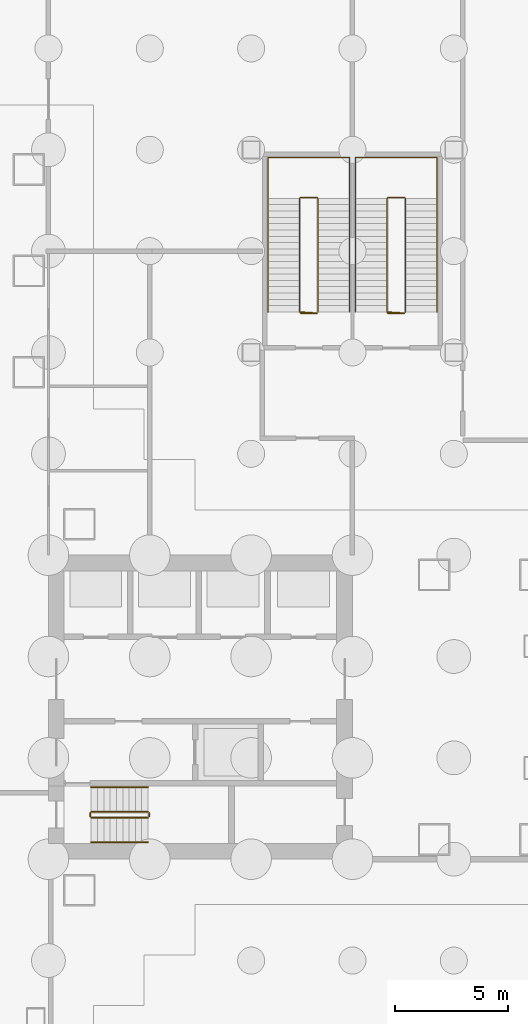
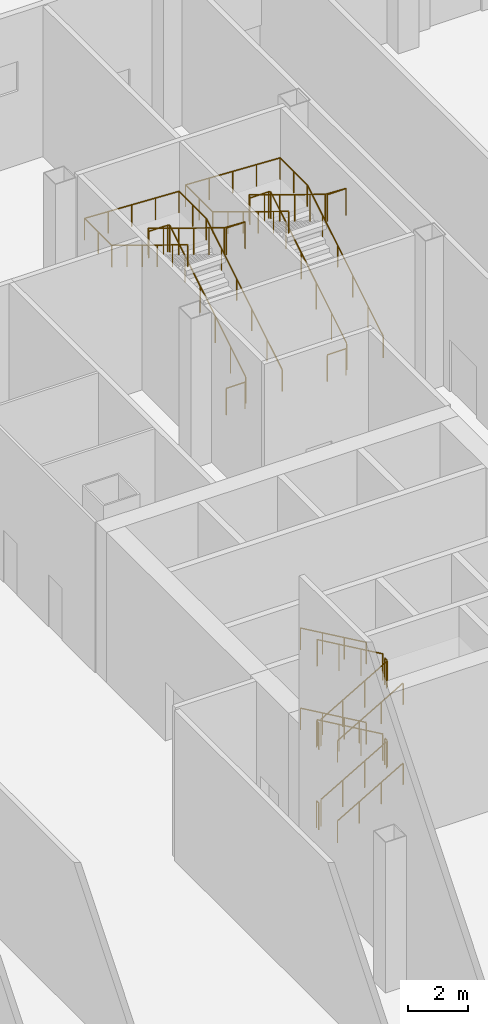
# One storey, part 32 of 37: 18 railings.
"""IFC4 building model written with IfcOpenShell, lengths in metres."""

from ifc_helpers import new_model, si_unit, direction, frame, origin, origin_2d, place, context, subcontext, project, spatial, circle, extrude, material, type_object, element, save


model = new_model("IFC4")

# Units and contexts
model_context = context("Model", 3, precision=1e-05, world=origin(), true_north=direction((0.0, 1.0)))
body_context = subcontext(model_context, "Body", "Model", "MODEL_VIEW")
ifc_project = project(units=[si_unit("LENGTHUNIT", "METRE"), si_unit("AREAUNIT", "SQUARE_METRE"), si_unit("VOLUMEUNIT", "CUBIC_METRE"), si_unit("PLANEANGLEUNIT", "RADIAN"), si_unit("MASSUNIT", "GRAM", prefix="KILO")], contexts=[model_context])

# Site, building, storey
site_placement = place(None, origin())
site = spatial("IfcSite", under=ifc_project, at=site_placement, CompositionType="ELEMENT")
building_placement = place(site_placement, origin())
building = spatial("IfcBuilding", under=site, at=building_placement, Name="Shamsa Quay Exchange Towers", CompositionType="ELEMENT")
storey_placement = place(building_placement, origin())
storey = spatial("IfcBuildingStorey", under=building, at=storey_placement, Name="L00", CompositionType="ELEMENT", Elevation=0.0)

# Railings
ifc_material = material(Name="Stainless steel", Category="steel")
railing_type_1 = type_object("IfcRailingType", Name="STAIR GUARD 1100", PredefinedType="GUARDRAIL", material=ifc_material)
railing_1_placement = place(storey_placement, frame((-25.10009765625, -4.89990234375, 0.16259765625)))
element("IfcRailing", 1, at=railing_1_placement, inside=storey, type_object=railing_type_1, Name="L00 ST1 stair guard 1", PredefinedType="GUARDRAIL", context=body_context, shape_type="SweptSolid", body=[
    extrude(circle(Radius=0.02392578125, at=origin_2d()), frame((0.0, 0.0, 1.076171875), z_axis=(0.864913338283, 0.0, 0.50192122615), x_axis=(0.0, 1.0, 0.0)), (0.0, 0.0, 1.0), 2.91357421875),
    extrude(circle(Radius=0.02099609375, at=origin_2d()), origin(), (0.0, 0.0, 1.0), 1.052001953125),
    extrude(circle(Radius=0.02099609375, at=origin_2d()), frame((0.840087890625, 0.0, 0.487548828125)), (0.0, 0.0, 1.0), 1.052001953125),
    extrude(circle(Radius=0.02099609375, at=origin_2d()), frame((1.679931640625, 0.0, 0.974853515625)), (0.0, 0.0, 1.0), 1.052001953125),
    extrude(circle(Radius=0.02099609375, at=origin_2d()), frame((2.52001953125, 0.0, 1.46240234375)), (0.0, 0.0, 1.0), 1.052001953125),
])
railing_2_placement = place(storey_placement, frame((-22.530029296875, -4.85009765625, 1.625)))
element("IfcRailing", 2, at=railing_2_placement, inside=storey, type_object=railing_type_1, Name="L00 ST1 stair guard 2", PredefinedType="GUARDRAIL", context=body_context, shape_type="SweptSolid", body=[
    extrude(circle(Radius=0.02392578125, at=origin_2d()), frame((0.0, 0.0, 1.076171875), z_axis=(0.0, 1.0, 0.0), x_axis=(-1.0, 0.0, 0.0)), (0.0, 0.0, 1.0), 0.150146484375),
    extrude(circle(Radius=0.02099609375, at=origin_2d()), origin(), (0.0, 0.0, 1.0), 1.052001953125),
    extrude(circle(Radius=0.02099609375, at=origin_2d()), frame((0.0, 0.150146484375, 0.0)), (0.0, 0.0, 1.0), 1.052001953125),
])
railing_3_placement = place(storey_placement, frame((-22.580078125, -4.64990234375, 1.78759765625)))
element("IfcRailing", 3, at=railing_3_placement, inside=storey, type_object=railing_type_1, Name="L00 ST1 stair guard 3", PredefinedType="GUARDRAIL", context=body_context, shape_type="SweptSolid", body=[
    extrude(circle(Radius=0.02392578125, at=origin_2d()), frame((0.0, 0.0, 1.076171875), z_axis=(-0.864913338283, 0.0, 0.50192122615), x_axis=(0.0, -1.0, 0.0)), (0.0, 0.0, 1.0), 2.91357421875),
    extrude(circle(Radius=0.02099609375, at=origin_2d()), origin(), (0.0, 0.0, 1.0), 1.052001953125),
    extrude(circle(Radius=0.02099609375, at=origin_2d()), frame((-0.840087890625, 0.0, 0.487548828125)), (0.0, 0.0, 1.0), 1.052001953125),
    extrude(circle(Radius=0.02099609375, at=origin_2d()), frame((-1.679931640625, 0.0, 0.974853515625)), (0.0, 0.0, 1.0), 1.052001953125),
    extrude(circle(Radius=0.02099609375, at=origin_2d()), frame((-2.52001953125, 0.0, 1.46240234375)), (0.0, 0.0, 1.0), 1.052001953125),
])
railing_4_placement = place(storey_placement, frame((-25.14990234375, -4.85009765625, 3.25)))
element("IfcRailing", 4, at=railing_4_placement, inside=storey, type_object=railing_type_1, Name="L00 ST1 stair guard 4", PredefinedType="GUARDRAIL", context=body_context, shape_type="SweptSolid", body=[
    extrude(circle(Radius=0.02392578125, at=origin_2d()), frame((0.0, 0.0, 1.076171875), z_axis=(0.0, 1.0, 0.0), x_axis=(-1.0, 0.0, 0.0)), (0.0, 0.0, 1.0), 0.150146484375),
    extrude(circle(Radius=0.02099609375, at=origin_2d()), origin(), (0.0, 0.0, 1.0), 1.052001953125),
    extrude(circle(Radius=0.02099609375, at=origin_2d()), frame((0.0, 0.150146484375, 0.0)), (0.0, 0.0, 1.0), 1.052001953125),
])
railing_5_placement = place(storey_placement, frame((-25.10009765625, -4.89990234375, 3.41259765625)))
element("IfcRailing", 5, at=railing_5_placement, inside=storey, type_object=railing_type_1, Name="L00 ST1 stair guard 5", PredefinedType="GUARDRAIL", context=body_context, shape_type="SweptSolid", body=[
    extrude(circle(Radius=0.02392578125, at=origin_2d()), frame((0.0, 0.0, 1.076171875), z_axis=(0.864913338283, 0.0, 0.50192122615), x_axis=(0.0, 1.0, 0.0)), (0.0, 0.0, 1.0), 2.91357421875),
    extrude(circle(Radius=0.02099609375, at=origin_2d()), origin(), (0.0, 0.0, 1.0), 1.052001953125),
    extrude(circle(Radius=0.02099609375, at=origin_2d()), frame((0.840087890625, 0.0, 0.487548828125)), (0.0, 0.0, 1.0), 1.052001953125),
    extrude(circle(Radius=0.02099609375, at=origin_2d()), frame((1.679931640625, 0.0, 0.974853515625)), (0.0, 0.0, 1.0), 1.052001953125),
    extrude(circle(Radius=0.02099609375, at=origin_2d()), frame((2.52001953125, 0.0, 1.46240234375)), (0.0, 0.0, 1.0), 1.052001953125),
])
railing_6_placement = place(storey_placement, frame((-22.530029296875, -4.85009765625, 4.875)))
element("IfcRailing", 6, at=railing_6_placement, inside=storey, type_object=railing_type_1, Name="L00 ST1 stair guard 6", PredefinedType="GUARDRAIL", context=body_context, shape_type="SweptSolid", body=[
    extrude(circle(Radius=0.02392578125, at=origin_2d()), frame((0.0, 0.0, 1.076171875), z_axis=(0.0, 1.0, 0.0), x_axis=(-1.0, 0.0, 0.0)), (0.0, 0.0, 1.0), 0.150146484375),
    extrude(circle(Radius=0.02099609375, at=origin_2d()), origin(), (0.0, 0.0, 1.0), 1.052001953125),
    extrude(circle(Radius=0.02099609375, at=origin_2d()), frame((0.0, 0.150146484375, 0.0)), (0.0, 0.0, 1.0), 1.052001953125),
])
railing_7_placement = place(storey_placement, frame((-22.580078125, -4.64990234375, 5.03759765625)))
element("IfcRailing", 7, at=railing_7_placement, inside=storey, type_object=railing_type_1, Name="L00 ST1 stair guard 7", PredefinedType="GUARDRAIL", context=body_context, shape_type="SweptSolid", body=[
    extrude(circle(Radius=0.02392578125, at=origin_2d()), frame((0.0, 0.0, 1.076171875), z_axis=(-0.864913338283, 0.0, 0.50192122615), x_axis=(0.0, -1.0, 0.0)), (0.0, 0.0, 1.0), 2.91357421875),
    extrude(circle(Radius=0.02099609375, at=origin_2d()), origin(), (0.0, 0.0, 1.0), 1.052001953125),
    extrude(circle(Radius=0.02099609375, at=origin_2d()), frame((-0.840087890625, 0.0, 0.487548828125)), (0.0, 0.0, 1.0), 1.052001953125),
    extrude(circle(Radius=0.02099609375, at=origin_2d()), frame((-1.679931640625, 0.0, 0.974853515625)), (0.0, 0.0, 1.0), 1.052001953125),
    extrude(circle(Radius=0.02099609375, at=origin_2d()), frame((-2.52001953125, 0.0, 1.46240234375)), (0.0, 0.0, 1.0), 1.052001953125),
])
railing_8_placement = place(storey_placement, frame((-25.14990234375, -4.85009765625, 0.0)))
element("IfcRailing", 8, at=railing_8_placement, inside=storey, type_object=railing_type_1, Name="L00 ST1 stair guard 8", PredefinedType="GUARDRAIL", context=body_context, shape_type="SweptSolid", body=[
    extrude(circle(Radius=0.02392578125, at=origin_2d()), frame((0.0, 0.0, 1.076171875), z_axis=(0.0, 1.0, 0.0), x_axis=(-1.0, 0.0, 0.0)), (0.0, 0.0, 1.0), 0.150146484375),
    extrude(circle(Radius=0.02099609375, at=origin_2d()), origin(), (0.0, 0.0, 1.0), 1.052001953125),
    extrude(circle(Radius=0.02099609375, at=origin_2d()), frame((0.0, 0.150146484375, 0.0)), (0.0, 0.0, 1.0), 1.052001953125),
])
railing_9_placement = place(storey_placement, frame((-15.02490234375, 17.550048828125, 0.171142578125)))
element("IfcRailing", 9, at=railing_9_placement, inside=storey, type_object=railing_type_1, Name="L00 PS2A stair guard 1", PredefinedType="GUARDRAIL", context=body_context, shape_type="SweptSolid", body=[
    extrude(circle(Radius=0.02392578125, at=origin_2d()), frame((0.0, 0.0, 1.076171875), z_axis=(0.0, 0.853369698388, 0.521306203564), x_axis=(-1.0, 0.0, 0.0)), (0.0, 0.0, 1.0), 5.906005859375),
    extrude(circle(Radius=0.02392578125, at=origin_2d()), frame((0.0, 5.0400390625, 4.15478515625), z_axis=(-0.708833529934, 0.705375805398, 0.0), x_axis=(-0.705375805398, -0.708833529934, 0.0)), (0.0, 0.0, 1.0), 0.070556640625),
    extrude(circle(Radius=0.02392578125, at=origin_2d()), frame((-0.050048828125, 5.08984375, 4.15478515625), z_axis=(-1.0, 0.0, 0.0), x_axis=(0.0, -1.0, 0.0)), (0.0, 0.0, 1.0), 0.72509765625),
    extrude(circle(Radius=0.02392578125, at=origin_2d()), frame((-0.775146484375, 5.08984375, 4.15478515625), z_axis=(-0.270336121127, -0.269017408341, 0.924417662977), x_axis=(0.705375805398, -0.708833529934, 0.0)), (0.0, 0.0, 1.0), 0.18505859375),
    extrude(circle(Radius=0.02392578125, at=origin_2d()), frame((-0.8251953125, 5.0400390625, 4.326171875), z_axis=(0.0, -0.853369698388, 0.521306203564), x_axis=(1.0, 0.0, 0.0)), (0.0, 0.0, 1.0), 5.906005859375),
    extrude(circle(Radius=0.02392578125, at=origin_2d()), frame((-0.8251953125, 0.0, 7.40478515625), z_axis=(0.997922050633, -0.064432762324, 0.0), x_axis=(0.064432762324, 0.997922050633, 0.0)), (0.0, 0.0, 1.0), 0.77685546875),
    extrude(circle(Radius=0.02392578125, at=origin_2d()), frame((-0.050048828125, -0.050048828125, 7.40478515625), z_axis=(-1.0, 0.0, 0.0), x_axis=(0.0, -1.0, 0.0)), (0.0, 0.0, 1.0), 0.72509765625),
    extrude(circle(Radius=0.02099609375, at=origin_2d()), origin(), (0.0, 0.0, 1.0), 1.052001953125),
    extrude(circle(Radius=0.02099609375, at=origin_2d()), frame((0.0, 1.008056640625, 0.61572265625)), (0.0, 0.0, 1.0), 1.052001953125),
    extrude(circle(Radius=0.02099609375, at=origin_2d()), frame((0.0, 2.01611328125, 1.2314453125)), (0.0, 0.0, 1.0), 1.052001953125),
    extrude(circle(Radius=0.02099609375, at=origin_2d()), frame((0.0, 3.02392578125, 1.847412109375)), (0.0, 0.0, 1.0), 1.052001953125),
    extrude(circle(Radius=0.02099609375, at=origin_2d()), frame((0.0, 4.031982421875, 2.463134765625)), (0.0, 0.0, 1.0), 1.052001953125),
    extrude(circle(Radius=0.02099609375, at=origin_2d()), frame((0.0, 5.0400390625, 3.078857421875)), (0.0, 0.0, 1.0), 1.052001953125),
    extrude(circle(Radius=0.02099609375, at=origin_2d()), frame((-0.050048828125, 5.08984375, 3.078857421875)), (0.0, 0.0, 1.0), 1.052001953125),
    extrude(circle(Radius=0.02099609375, at=origin_2d()), frame((-0.775146484375, 5.08984375, 3.078857421875)), (0.0, 0.0, 1.0), 1.052001953125),
    extrude(circle(Radius=0.02099609375, at=origin_2d()), frame((-0.8251953125, 5.0400390625, 3.25)), (0.0, 0.0, 1.0), 1.052001953125),
    extrude(circle(Radius=0.02099609375, at=origin_2d()), frame((-0.8251953125, 4.031982421875, 3.86572265625)), (0.0, 0.0, 1.0), 1.052001953125),
    extrude(circle(Radius=0.02099609375, at=origin_2d()), frame((-0.8251953125, 3.02392578125, 4.4814453125)), (0.0, 0.0, 1.0), 1.052001953125),
    extrude(circle(Radius=0.02099609375, at=origin_2d()), frame((-0.8251953125, 2.01611328125, 5.097412109375)), (0.0, 0.0, 1.0), 1.052001953125),
    extrude(circle(Radius=0.02099609375, at=origin_2d()), frame((-0.8251953125, 1.008056640625, 5.713134765625)), (0.0, 0.0, 1.0), 1.052001953125),
    extrude(circle(Radius=0.02099609375, at=origin_2d()), frame((-0.8251953125, 0.0, 6.328857421875)), (0.0, 0.0, 1.0), 1.052001953125),
    extrude(circle(Radius=0.02099609375, at=origin_2d()), frame((-0.050048828125, -0.050048828125, 6.328857421875)), (0.0, 0.0, 1.0), 1.052001953125),
    extrude(circle(Radius=0.02099609375, at=origin_2d()), frame((-0.775146484375, -0.050048828125, 6.328857421875)), (0.0, 0.0, 1.0), 1.052001953125),
])
railing_10_placement = place(storey_placement, frame((-15.074951171875, 17.5, 0.0)))
element("IfcRailing", 10, at=railing_10_placement, inside=storey, type_object=railing_type_1, Name="L00 PS2A stair guard 2", PredefinedType="GUARDRAIL", context=body_context, shape_type="SweptSolid", body=[
    extrude(circle(Radius=0.02392578125, at=origin_2d()), frame((0.0, 0.0, 1.076171875), z_axis=(-1.0, 0.0, 0.0), x_axis=(0.0, -1.0, 0.0)), (0.0, 0.0, 1.0), 0.72509765625),
    extrude(circle(Radius=0.02099609375, at=origin_2d()), origin(), (0.0, 0.0, 1.0), 1.052001953125),
    extrude(circle(Radius=0.02099609375, at=origin_2d()), frame((-0.72509765625, 0.0, 0.0)), (0.0, 0.0, 1.0), 1.052001953125),
])
railing_11_placement = place(storey_placement, frame((-11.14990234375, 17.550048828125, 0.171142578125)))
element("IfcRailing", 11, at=railing_11_placement, inside=storey, type_object=railing_type_1, Name="L00 PS2B stair guard 1", PredefinedType="GUARDRAIL", context=body_context, shape_type="SweptSolid", body=[
    extrude(circle(Radius=0.02392578125, at=origin_2d()), frame((0.0, 0.0, 1.076171875), z_axis=(0.0, 0.853369698388, 0.521306203564), x_axis=(-1.0, 0.0, 0.0)), (0.0, 0.0, 1.0), 5.906005859375),
    extrude(circle(Radius=0.02392578125, at=origin_2d()), frame((0.0, 5.0400390625, 4.15478515625), z_axis=(-0.708833529934, 0.705375805398, 0.0), x_axis=(-0.705375805398, -0.708833529934, 0.0)), (0.0, 0.0, 1.0), 0.070556640625),
    extrude(circle(Radius=0.02392578125, at=origin_2d()), frame((-0.050048828125, 5.08984375, 4.15478515625), z_axis=(-1.0, 0.0, 0.0), x_axis=(0.0, -1.0, 0.0)), (0.0, 0.0, 1.0), 0.72509765625),
    extrude(circle(Radius=0.02392578125, at=origin_2d()), frame((-0.775146484375, 5.08984375, 4.15478515625), z_axis=(-0.270336121127, -0.269017408341, 0.924417662977), x_axis=(0.705375805398, -0.708833529934, 0.0)), (0.0, 0.0, 1.0), 0.18505859375),
    extrude(circle(Radius=0.02392578125, at=origin_2d()), frame((-0.8251953125, 5.0400390625, 4.326171875), z_axis=(0.0, -0.853369698388, 0.521306203564), x_axis=(1.0, 0.0, 0.0)), (0.0, 0.0, 1.0), 5.906005859375),
    extrude(circle(Radius=0.02392578125, at=origin_2d()), frame((-0.8251953125, 0.0, 7.40478515625), z_axis=(0.997922050633, -0.064432762324, 0.0), x_axis=(0.064432762324, 0.997922050633, 0.0)), (0.0, 0.0, 1.0), 0.77685546875),
    extrude(circle(Radius=0.02392578125, at=origin_2d()), frame((-0.050048828125, -0.050048828125, 7.40478515625), z_axis=(-1.0, 0.0, 0.0), x_axis=(0.0, -1.0, 0.0)), (0.0, 0.0, 1.0), 0.72509765625),
    extrude(circle(Radius=0.02099609375, at=origin_2d()), origin(), (0.0, 0.0, 1.0), 1.052001953125),
    extrude(circle(Radius=0.02099609375, at=origin_2d()), frame((0.0, 1.008056640625, 0.61572265625)), (0.0, 0.0, 1.0), 1.052001953125),
    extrude(circle(Radius=0.02099609375, at=origin_2d()), frame((0.0, 2.01611328125, 1.2314453125)), (0.0, 0.0, 1.0), 1.052001953125),
    extrude(circle(Radius=0.02099609375, at=origin_2d()), frame((0.0, 3.02392578125, 1.847412109375)), (0.0, 0.0, 1.0), 1.052001953125),
    extrude(circle(Radius=0.02099609375, at=origin_2d()), frame((0.0, 4.031982421875, 2.463134765625)), (0.0, 0.0, 1.0), 1.052001953125),
    extrude(circle(Radius=0.02099609375, at=origin_2d()), frame((0.0, 5.0400390625, 3.078857421875)), (0.0, 0.0, 1.0), 1.052001953125),
    extrude(circle(Radius=0.02099609375, at=origin_2d()), frame((-0.050048828125, 5.08984375, 3.078857421875)), (0.0, 0.0, 1.0), 1.052001953125),
    extrude(circle(Radius=0.02099609375, at=origin_2d()), frame((-0.775146484375, 5.08984375, 3.078857421875)), (0.0, 0.0, 1.0), 1.052001953125),
    extrude(circle(Radius=0.02099609375, at=origin_2d()), frame((-0.8251953125, 5.0400390625, 3.25)), (0.0, 0.0, 1.0), 1.052001953125),
    extrude(circle(Radius=0.02099609375, at=origin_2d()), frame((-0.8251953125, 4.031982421875, 3.86572265625)), (0.0, 0.0, 1.0), 1.052001953125),
    extrude(circle(Radius=0.02099609375, at=origin_2d()), frame((-0.8251953125, 3.02392578125, 4.4814453125)), (0.0, 0.0, 1.0), 1.052001953125),
    extrude(circle(Radius=0.02099609375, at=origin_2d()), frame((-0.8251953125, 2.01611328125, 5.097412109375)), (0.0, 0.0, 1.0), 1.052001953125),
    extrude(circle(Radius=0.02099609375, at=origin_2d()), frame((-0.8251953125, 1.008056640625, 5.713134765625)), (0.0, 0.0, 1.0), 1.052001953125),
    extrude(circle(Radius=0.02099609375, at=origin_2d()), frame((-0.8251953125, 0.0, 6.328857421875)), (0.0, 0.0, 1.0), 1.052001953125),
    extrude(circle(Radius=0.02099609375, at=origin_2d()), frame((-0.050048828125, -0.050048828125, 6.328857421875)), (0.0, 0.0, 1.0), 1.052001953125),
    extrude(circle(Radius=0.02099609375, at=origin_2d()), frame((-0.775146484375, -0.050048828125, 6.328857421875)), (0.0, 0.0, 1.0), 1.052001953125),
])
railing_12_placement = place(storey_placement, frame((-11.199951171875, 17.5, 0.0)))
element("IfcRailing", 12, at=railing_12_placement, inside=storey, type_object=railing_type_1, Name="L00 PS2B stair guard 2", PredefinedType="GUARDRAIL", context=body_context, shape_type="SweptSolid", body=[
    extrude(circle(Radius=0.02392578125, at=origin_2d()), frame((0.0, 0.0, 1.076171875), z_axis=(-1.0, 0.0, 0.0), x_axis=(0.0, -1.0, 0.0)), (0.0, 0.0, 1.0), 0.72509765625),
    extrude(circle(Radius=0.02099609375, at=origin_2d()), origin(), (0.0, 0.0, 1.0), 1.052001953125),
    extrude(circle(Radius=0.02099609375, at=origin_2d()), frame((-0.72509765625, 0.0, 0.0)), (0.0, 0.0, 1.0), 1.052001953125),
])
railing_type_2 = type_object("IfcRailingType", Name="STAIR HANDRAIL 900", PredefinedType="HANDRAIL", material=ifc_material)
railing_13_placement = place(storey_placement, frame((-25.10009765625, -6.0, 0.16259765625)))
element("IfcRailing", 13, at=railing_13_placement, inside=storey, type_object=railing_type_2, Name="L00 ST1 stair handrail 1", PredefinedType="HANDRAIL", context=body_context, shape_type="SweptSolid", body=[
    extrude(circle(Radius=0.02392578125, at=origin_2d()), frame((0.0, 0.0, 0.8759765625), z_axis=(0.864913338283, 0.0, 0.50192122615), x_axis=(0.0, 1.0, 0.0)), (0.0, 0.0, 1.0), 2.91357421875),
    extrude(circle(Radius=0.02099609375, at=origin_2d()), origin(), (0.0, 0.0, 1.0), 0.851806640625),
    extrude(circle(Radius=0.02099609375, at=origin_2d()), frame((0.840087890625, 0.0, 0.487548828125)), (0.0, 0.0, 1.0), 0.851806640625),
    extrude(circle(Radius=0.02099609375, at=origin_2d()), frame((1.679931640625, 0.0, 0.974853515625)), (0.0, 0.0, 1.0), 0.851806640625),
    extrude(circle(Radius=0.02099609375, at=origin_2d()), frame((2.52001953125, 0.0, 1.46240234375)), (0.0, 0.0, 1.0), 0.851806640625),
])
railing_14_placement = place(storey_placement, frame((-22.580078125, -3.550048828125, 1.78759765625)))
element("IfcRailing", 14, at=railing_14_placement, inside=storey, type_object=railing_type_2, Name="L00 ST1 stair handrail 2", PredefinedType="HANDRAIL", context=body_context, shape_type="SweptSolid", body=[
    extrude(circle(Radius=0.02392578125, at=origin_2d()), frame((0.0, 0.0, 0.8759765625), z_axis=(-0.864913338283, 0.0, 0.50192122615), x_axis=(0.0, -1.0, 0.0)), (0.0, 0.0, 1.0), 2.91357421875),
    extrude(circle(Radius=0.02099609375, at=origin_2d()), origin(), (0.0, 0.0, 1.0), 0.851806640625),
    extrude(circle(Radius=0.02099609375, at=origin_2d()), frame((-0.840087890625, 0.0, 0.487548828125)), (0.0, 0.0, 1.0), 0.851806640625),
    extrude(circle(Radius=0.02099609375, at=origin_2d()), frame((-1.679931640625, 0.0, 0.974853515625)), (0.0, 0.0, 1.0), 0.851806640625),
    extrude(circle(Radius=0.02099609375, at=origin_2d()), frame((-2.52001953125, 0.0, 1.46240234375)), (0.0, 0.0, 1.0), 0.851806640625),
])
railing_15_placement = place(storey_placement, frame((-25.10009765625, -6.0, 3.41259765625)))
element("IfcRailing", 15, at=railing_15_placement, inside=storey, type_object=railing_type_2, Name="L00 ST1 stair handrail 3", PredefinedType="HANDRAIL", context=body_context, shape_type="SweptSolid", body=[
    extrude(circle(Radius=0.02392578125, at=origin_2d()), frame((0.0, 0.0, 0.8759765625), z_axis=(0.864913338283, 0.0, 0.50192122615), x_axis=(0.0, 1.0, 0.0)), (0.0, 0.0, 1.0), 2.91357421875),
    extrude(circle(Radius=0.02099609375, at=origin_2d()), origin(), (0.0, 0.0, 1.0), 0.851806640625),
    extrude(circle(Radius=0.02099609375, at=origin_2d()), frame((0.840087890625, 0.0, 0.487548828125)), (0.0, 0.0, 1.0), 0.851806640625),
    extrude(circle(Radius=0.02099609375, at=origin_2d()), frame((1.679931640625, 0.0, 0.974853515625)), (0.0, 0.0, 1.0), 0.851806640625),
    extrude(circle(Radius=0.02099609375, at=origin_2d()), frame((2.52001953125, 0.0, 1.46240234375)), (0.0, 0.0, 1.0), 0.851806640625),
])
railing_16_placement = place(storey_placement, frame((-22.580078125, -3.550048828125, 5.03759765625)))
element("IfcRailing", 16, at=railing_16_placement, inside=storey, type_object=railing_type_2, Name="L00 ST1 stair handrail 4", PredefinedType="HANDRAIL", context=body_context, shape_type="SweptSolid", body=[
    extrude(circle(Radius=0.02392578125, at=origin_2d()), frame((0.0, 0.0, 0.8759765625), z_axis=(-0.864913338283, 0.0, 0.50192122615), x_axis=(0.0, -1.0, 0.0)), (0.0, 0.0, 1.0), 2.91357421875),
    extrude(circle(Radius=0.02099609375, at=origin_2d()), origin(), (0.0, 0.0, 1.0), 0.851806640625),
    extrude(circle(Radius=0.02099609375, at=origin_2d()), frame((-0.840087890625, 0.0, 0.487548828125)), (0.0, 0.0, 1.0), 0.851806640625),
    extrude(circle(Radius=0.02099609375, at=origin_2d()), frame((-1.679931640625, 0.0, 0.974853515625)), (0.0, 0.0, 1.0), 0.851806640625),
    extrude(circle(Radius=0.02099609375, at=origin_2d()), frame((-2.52001953125, 0.0, 1.46240234375)), (0.0, 0.0, 1.0), 0.851806640625),
])
railing_17_placement = place(storey_placement, frame((-13.625, 17.550048828125, 0.171142578125)))
element("IfcRailing", 17, at=railing_17_placement, inside=storey, type_object=railing_type_2, Name="L00 PS2A stair handrail 1", PredefinedType="HANDRAIL", context=body_context, shape_type="SweptSolid", body=[
    extrude(circle(Radius=0.02392578125, at=origin_2d()), frame((0.0, 0.0, 0.8759765625), z_axis=(0.0, 0.853369698388, 0.521306203564), x_axis=(-1.0, 0.0, 0.0)), (0.0, 0.0, 1.0), 5.906005859375),
    extrude(circle(Radius=0.02392578125, at=origin_2d()), frame((0.0, 5.0400390625, 3.95458984375), z_axis=(0.0, 1.0, 0.0), x_axis=(-1.0, 0.0, 0.0)), (0.0, 0.0, 1.0), 1.809814453125),
    extrude(circle(Radius=0.02392578125, at=origin_2d()), frame((0.0, 6.849853515625, 3.95458984375), z_axis=(-0.998887385161, 0.0, 0.047159217201), x_axis=(0.0, -1.0, 0.0)), (0.0, 0.0, 1.0), 3.629150390625),
    extrude(circle(Radius=0.02392578125, at=origin_2d()), frame((-3.625, 6.849853515625, 4.1259765625), z_axis=(0.0, -1.0, 0.0), x_axis=(1.0, 0.0, 0.0)), (0.0, 0.0, 1.0), 1.809814453125),
    extrude(circle(Radius=0.02392578125, at=origin_2d()), frame((-3.625, 5.0400390625, 4.1259765625), z_axis=(0.0, -0.853369698388, 0.521306203564), x_axis=(1.0, 0.0, 0.0)), (0.0, 0.0, 1.0), 5.906005859375),
    extrude(circle(Radius=0.02099609375, at=origin_2d()), origin(), (0.0, 0.0, 1.0), 0.851806640625),
    extrude(circle(Radius=0.02099609375, at=origin_2d()), frame((0.0, 1.008056640625, 0.61572265625)), (0.0, 0.0, 1.0), 0.851806640625),
    extrude(circle(Radius=0.02099609375, at=origin_2d()), frame((0.0, 2.01611328125, 1.2314453125)), (0.0, 0.0, 1.0), 0.851806640625),
    extrude(circle(Radius=0.02099609375, at=origin_2d()), frame((0.0, 3.02392578125, 1.847412109375)), (0.0, 0.0, 1.0), 0.851806640625),
    extrude(circle(Radius=0.02099609375, at=origin_2d()), frame((0.0, 4.031982421875, 2.463134765625)), (0.0, 0.0, 1.0), 0.851806640625),
    extrude(circle(Radius=0.02099609375, at=origin_2d()), frame((0.0, 5.0400390625, 3.078857421875)), (0.0, 0.0, 1.0), 0.851806640625),
    extrude(circle(Radius=0.02099609375, at=origin_2d()), frame((0.0, 5.94482421875, 3.078857421875)), (0.0, 0.0, 1.0), 0.851806640625),
    extrude(circle(Radius=0.02099609375, at=origin_2d()), frame((0.0, 6.849853515625, 3.078857421875)), (0.0, 0.0, 1.0), 0.851806640625),
    extrude(circle(Radius=0.02099609375, at=origin_2d()), frame((-0.90625, 6.849853515625, 3.12158203125)), (0.0, 0.0, 1.0), 0.851806640625),
    extrude(circle(Radius=0.02099609375, at=origin_2d()), frame((-1.8125, 6.849853515625, 3.16455078125)), (0.0, 0.0, 1.0), 0.851806640625),
    extrude(circle(Radius=0.02099609375, at=origin_2d()), frame((-2.71875, 6.849853515625, 3.207275390625)), (0.0, 0.0, 1.0), 0.851806640625),
    extrude(circle(Radius=0.02099609375, at=origin_2d()), frame((-3.625, 6.849853515625, 3.25)), (0.0, 0.0, 1.0), 0.851806640625),
    extrude(circle(Radius=0.02099609375, at=origin_2d()), frame((-3.625, 5.94482421875, 3.25)), (0.0, 0.0, 1.0), 0.851806640625),
    extrude(circle(Radius=0.02099609375, at=origin_2d()), frame((-3.625, 5.0400390625, 3.25)), (0.0, 0.0, 1.0), 0.851806640625),
    extrude(circle(Radius=0.02099609375, at=origin_2d()), frame((-3.625, 4.031982421875, 3.86572265625)), (0.0, 0.0, 1.0), 0.851806640625),
    extrude(circle(Radius=0.02099609375, at=origin_2d()), frame((-3.625, 3.02392578125, 4.4814453125)), (0.0, 0.0, 1.0), 0.851806640625),
    extrude(circle(Radius=0.02099609375, at=origin_2d()), frame((-3.625, 2.01611328125, 5.097412109375)), (0.0, 0.0, 1.0), 0.851806640625),
    extrude(circle(Radius=0.02099609375, at=origin_2d()), frame((-3.625, 1.008056640625, 5.713134765625)), (0.0, 0.0, 1.0), 0.851806640625),
    extrude(circle(Radius=0.02099609375, at=origin_2d()), frame((-3.625, 0.0, 6.328857421875)), (0.0, 0.0, 1.0), 0.851806640625),
])
railing_18_placement = place(storey_placement, frame((-9.75, 17.550048828125, 0.171142578125)))
element("IfcRailing", 18, at=railing_18_placement, inside=storey, type_object=railing_type_2, Name="L00 PS2B stair handrail 1", PredefinedType="HANDRAIL", context=body_context, shape_type="SweptSolid", body=[
    extrude(circle(Radius=0.02392578125, at=origin_2d()), frame((0.0, 0.0, 0.8759765625), z_axis=(0.0, 0.853369698388, 0.521306203564), x_axis=(-1.0, 0.0, 0.0)), (0.0, 0.0, 1.0), 5.906005859375),
    extrude(circle(Radius=0.02392578125, at=origin_2d()), frame((0.0, 5.0400390625, 3.95458984375), z_axis=(0.0, 1.0, 0.0), x_axis=(-1.0, 0.0, 0.0)), (0.0, 0.0, 1.0), 1.809814453125),
    extrude(circle(Radius=0.02392578125, at=origin_2d()), frame((0.0, 6.849853515625, 3.95458984375), z_axis=(-0.998887385161, 0.0, 0.047159217201), x_axis=(0.0, -1.0, 0.0)), (0.0, 0.0, 1.0), 3.629150390625),
    extrude(circle(Radius=0.02392578125, at=origin_2d()), frame((-3.625, 6.849853515625, 4.1259765625), z_axis=(0.0, -1.0, 0.0), x_axis=(1.0, 0.0, 0.0)), (0.0, 0.0, 1.0), 1.809814453125),
    extrude(circle(Radius=0.02392578125, at=origin_2d()), frame((-3.625, 5.0400390625, 4.1259765625), z_axis=(0.0, -0.853369698388, 0.521306203564), x_axis=(1.0, 0.0, 0.0)), (0.0, 0.0, 1.0), 5.906005859375),
    extrude(circle(Radius=0.02099609375, at=origin_2d()), origin(), (0.0, 0.0, 1.0), 0.851806640625),
    extrude(circle(Radius=0.02099609375, at=origin_2d()), frame((0.0, 1.008056640625, 0.61572265625)), (0.0, 0.0, 1.0), 0.851806640625),
    extrude(circle(Radius=0.02099609375, at=origin_2d()), frame((0.0, 2.01611328125, 1.2314453125)), (0.0, 0.0, 1.0), 0.851806640625),
    extrude(circle(Radius=0.02099609375, at=origin_2d()), frame((0.0, 3.02392578125, 1.847412109375)), (0.0, 0.0, 1.0), 0.851806640625),
    extrude(circle(Radius=0.02099609375, at=origin_2d()), frame((0.0, 4.031982421875, 2.463134765625)), (0.0, 0.0, 1.0), 0.851806640625),
    extrude(circle(Radius=0.02099609375, at=origin_2d()), frame((0.0, 5.0400390625, 3.078857421875)), (0.0, 0.0, 1.0), 0.851806640625),
    extrude(circle(Radius=0.02099609375, at=origin_2d()), frame((0.0, 5.94482421875, 3.078857421875)), (0.0, 0.0, 1.0), 0.851806640625),
    extrude(circle(Radius=0.02099609375, at=origin_2d()), frame((0.0, 6.849853515625, 3.078857421875)), (0.0, 0.0, 1.0), 0.851806640625),
    extrude(circle(Radius=0.02099609375, at=origin_2d()), frame((-0.90625, 6.849853515625, 3.12158203125)), (0.0, 0.0, 1.0), 0.851806640625),
    extrude(circle(Radius=0.02099609375, at=origin_2d()), frame((-1.8125, 6.849853515625, 3.16455078125)), (0.0, 0.0, 1.0), 0.851806640625),
    extrude(circle(Radius=0.02099609375, at=origin_2d()), frame((-2.71875, 6.849853515625, 3.207275390625)), (0.0, 0.0, 1.0), 0.851806640625),
    extrude(circle(Radius=0.02099609375, at=origin_2d()), frame((-3.625, 6.849853515625, 3.25)), (0.0, 0.0, 1.0), 0.851806640625),
    extrude(circle(Radius=0.02099609375, at=origin_2d()), frame((-3.625, 5.94482421875, 3.25)), (0.0, 0.0, 1.0), 0.851806640625),
    extrude(circle(Radius=0.02099609375, at=origin_2d()), frame((-3.625, 5.0400390625, 3.25)), (0.0, 0.0, 1.0), 0.851806640625),
    extrude(circle(Radius=0.02099609375, at=origin_2d()), frame((-3.625, 4.031982421875, 3.86572265625)), (0.0, 0.0, 1.0), 0.851806640625),
    extrude(circle(Radius=0.02099609375, at=origin_2d()), frame((-3.625, 3.02392578125, 4.4814453125)), (0.0, 0.0, 1.0), 0.851806640625),
    extrude(circle(Radius=0.02099609375, at=origin_2d()), frame((-3.625, 2.01611328125, 5.097412109375)), (0.0, 0.0, 1.0), 0.851806640625),
    extrude(circle(Radius=0.02099609375, at=origin_2d()), frame((-3.625, 1.008056640625, 5.713134765625)), (0.0, 0.0, 1.0), 0.851806640625),
    extrude(circle(Radius=0.02099609375, at=origin_2d()), frame((-3.625, 0.0, 6.328857421875)), (0.0, 0.0, 1.0), 0.851806640625),
])

save(model, "model.ifc")
